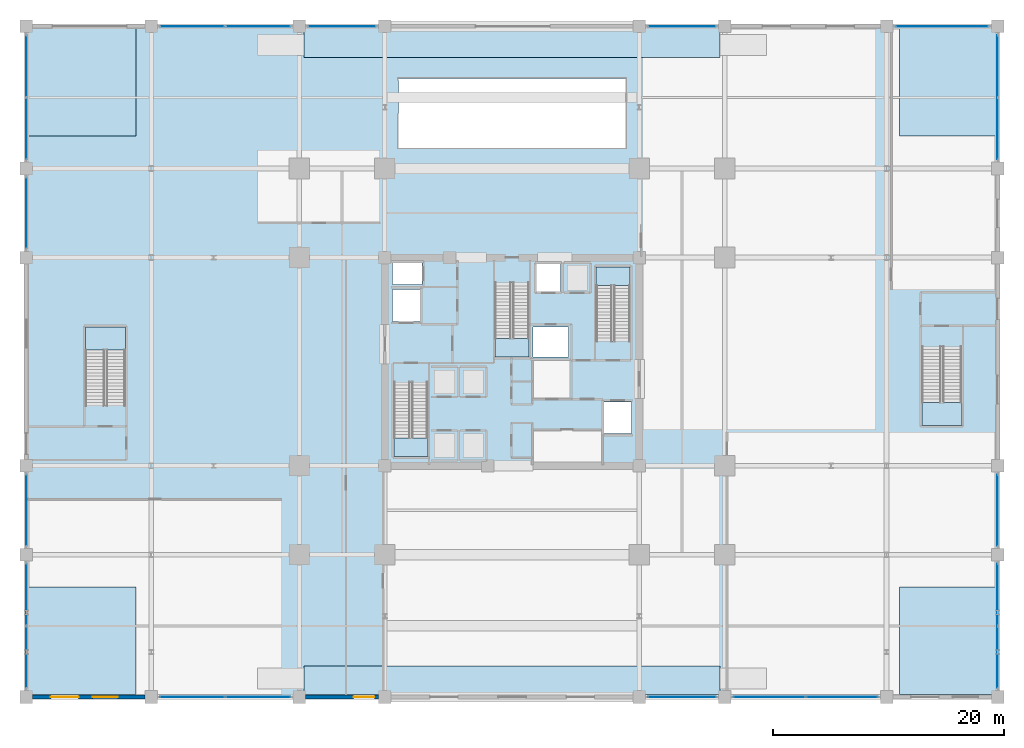
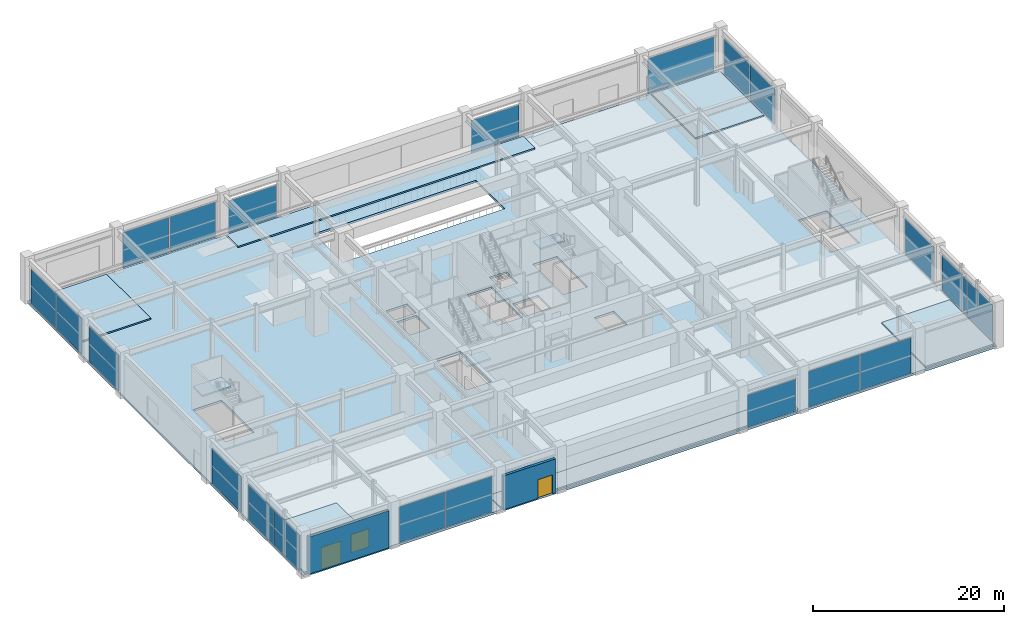
# One storey, part 29 of 41: 21 plates, 12 slabs, 2 doors, 2 walls, 1 window, 3 openings, 19 elements without a shape of their own.
"""IFC4 building model written with IfcOpenShell, lengths in metres."""

from ifc_helpers import new_model, si_unit, direction, frame, frame_2d, origin, origin_2d, place, context, subcontext, project, spatial, polyline, rectangle, outline, extrude, material, layer, layer_set, type_object, element, fill, aggregate, save


model = new_model("IFC4")

# Units and contexts
model_context = context("Model", 3, precision=1e-05, world=origin(), true_north=direction((0.0, 1.0)))
body_context = subcontext(model_context, "Body", "Model", "MODEL_VIEW")
ifc_project = project(units=[si_unit("LENGTHUNIT", "METRE"), si_unit("AREAUNIT", "SQUARE_METRE"), si_unit("VOLUMEUNIT", "CUBIC_METRE"), si_unit("PLANEANGLEUNIT", "RADIAN"), si_unit("MASSUNIT", "GRAM", prefix="KILO")], contexts=[model_context])

# Site, building, storey
site_placement = place(None, origin())
site = spatial("IfcSite", under=ifc_project, at=site_placement, CompositionType="ELEMENT")
building_placement = place(site_placement, origin())
building = spatial("IfcBuilding", under=site, at=building_placement, Name="Kovane Verandah Tower", CompositionType="ELEMENT")
storey_placement = place(building_placement, origin())
storey = spatial("IfcBuildingStorey", under=building, at=storey_placement, Name="L00", CompositionType="ELEMENT", Elevation=0.0)

# Curtain wall, plates
ifc_material_1 = material(Name="Champagne Anodised Aluminium Frame with Low-E Clear Laminated Glass", Category="aluminium")
curtain_wall_type = type_object("IfcCurtainWallType", Name="CW-SYS-01-POD", PredefinedType="NOTDEFINED", material=ifc_material_1)
curtain_wall_1_placement = place(storey_placement, origin())
curtain_wall_1 = element("IfcCurtainWall", 1, at=curtain_wall_1_placement, inside=storey, type_object=curtain_wall_type, Name="Ground South Shopfront Curtain Wall Bay 2", PredefinedType="NOTDEFINED")
ifc_material_2 = material(Name="Clear Low-E Laminated Double Glazing", Category="glass")
ifc_layer_1 = layer(ifc_material_2, 0.031982421875)
ifc_layer_set_1 = layer_set([ifc_layer_1], Name="Clear Low-E Laminated Double Glazing")
plate_type = type_object("IfcPlateType", Name="PL-CW-VIS-32", PredefinedType="CURTAIN_PANEL", material=ifc_layer_set_1)
plate_1_placement = place(storey_placement, frame((12.360107421875, -1.5, 0.099853515625), z_axis=(0.0, 0.0, 1.0), x_axis=(1.0, 0.0, 0.0)))
plate_1 = element("IfcPlate", 2, at=plate_1_placement, type_object=plate_type, Name="Ground South Shopfront Curtain Wall Bay 2 Full-Height Vision Panel 1", PredefinedType="CURTAIN_PANEL", context=body_context, shape_type="SweptSolid", body=[
    extrude(rectangle(XDim=5.5400390625, YDim=0.031982421875, at=origin_2d()), origin(), (0.0, 0.0, 1.0), 4.55908203125),
])
plate_2_placement = place(storey_placement, frame((18.0400390625, -1.5, 0.099853515625), z_axis=(0.0, 0.0, 1.0), x_axis=(1.0, 0.0, 0.0)))
plate_2 = element("IfcPlate", 3, at=plate_2_placement, type_object=plate_type, Name="Ground South Shopfront Curtain Wall Bay 2 Full-Height Vision Panel 2", PredefinedType="CURTAIN_PANEL", context=body_context, shape_type="SweptSolid", body=[
    extrude(rectangle(XDim=5.5400390625, YDim=0.031982421875, at=origin_2d()), origin(), (0.0, 0.0, 1.0), 4.55908203125),
])
aggregate(curtain_wall_1, [plate_1, plate_2])

# Curtain wall, plate
curtain_wall_2_placement = place(storey_placement, origin())
curtain_wall_2 = element("IfcCurtainWall", 4, at=curtain_wall_2_placement, inside=storey, type_object=curtain_wall_type, Name="Ground South Shopfront Curtain Wall Bay 5", PredefinedType="NOTDEFINED")
plate_3_placement = place(storey_placement, frame((54.699951171875, -1.5, 0.10009765625), z_axis=(0.0, 0.0, 1.0), x_axis=(1.0, 0.0, 0.0)))
plate_3 = element("IfcPlate", 5, at=plate_3_placement, type_object=plate_type, Name="Ground South Shopfront Curtain Wall Bay 5 Full-Height Vision Panel 1", PredefinedType="CURTAIN_PANEL", context=body_context, shape_type="SweptSolid", body=[
    extrude(rectangle(XDim=5.820068359375, YDim=0.031982421875, at=origin_2d()), origin(), (0.0, 0.0, 1.0), 4.1298828125),
])
aggregate(curtain_wall_2, [plate_3])

# Curtain wall, plates
curtain_wall_3_placement = place(storey_placement, origin())
curtain_wall_3 = element("IfcCurtainWall", 6, at=curtain_wall_3_placement, inside=storey, type_object=curtain_wall_type, Name="Ground South Shopfront Curtain Wall Bay 6", PredefinedType="NOTDEFINED")
plate_4_placement = place(storey_placement, frame((62.260009765625, -1.5, 0.099853515625), z_axis=(0.0, 0.0, 1.0), x_axis=(1.0, 0.0, 0.0)))
plate_4 = element("IfcPlate", 7, at=plate_4_placement, type_object=plate_type, Name="Ground South Shopfront Curtain Wall Bay 6 Full-Height Vision Panel 1", PredefinedType="CURTAIN_PANEL", context=body_context, shape_type="SweptSolid", body=[
    extrude(rectangle(XDim=6.139892578125, YDim=0.031982421875, at=origin_2d()), origin(), (0.0, 0.0, 1.0), 4.55908203125),
])
plate_5_placement = place(storey_placement, frame((68.5400390625, -1.5, 0.099853515625), z_axis=(0.0, 0.0, 1.0), x_axis=(1.0, 0.0, 0.0)))
plate_5 = element("IfcPlate", 8, at=plate_5_placement, type_object=plate_type, Name="Ground South Shopfront Curtain Wall Bay 6 Full-Height Vision Panel 2", PredefinedType="CURTAIN_PANEL", context=body_context, shape_type="SweptSolid", body=[
    extrude(rectangle(XDim=6.139892578125, YDim=0.031982421875, at=origin_2d()), origin(), (0.0, 0.0, 1.0), 4.55908203125),
])
aggregate(curtain_wall_3, [plate_4, plate_5])

curtain_wall_4_placement = place(storey_placement, origin())
curtain_wall_4 = element("IfcCurtainWall", 9, at=curtain_wall_4_placement, inside=storey, type_object=curtain_wall_type, Name="Ground North Shopfront Curtain Wall Bay 2", PredefinedType="NOTDEFINED")
plate_6_placement = place(storey_placement, frame((18.0400390625, 56.5, 0.099853515625), z_axis=(0.0, 0.0, 1.0), x_axis=(-1.0, 0.0, 0.0)))
plate_6 = element("IfcPlate", 10, at=plate_6_placement, type_object=plate_type, Name="Ground North Shopfront Curtain Wall Bay 2 Full-Height Vision Panel 1", PredefinedType="CURTAIN_PANEL", context=body_context, shape_type="SweptSolid", body=[
    extrude(rectangle(XDim=5.5400390625, YDim=0.031982421875, at=origin_2d()), origin(), (0.0, 0.0, 1.0), 4.55908203125),
])
plate_7_placement = place(storey_placement, frame((12.360107421875, 56.5, 0.099853515625), z_axis=(0.0, 0.0, 1.0), x_axis=(-1.0, 0.0, 0.0)))
plate_7 = element("IfcPlate", 11, at=plate_7_placement, type_object=plate_type, Name="Ground North Shopfront Curtain Wall Bay 2 Full-Height Vision Panel 2", PredefinedType="CURTAIN_PANEL", context=body_context, shape_type="SweptSolid", body=[
    extrude(rectangle(XDim=5.5400390625, YDim=0.031982421875, at=origin_2d()), origin(), (0.0, 0.0, 1.0), 4.55908203125),
])
aggregate(curtain_wall_4, [plate_6, plate_7])

# Curtain wall, plate
curtain_wall_5_placement = place(storey_placement, origin())
curtain_wall_5 = element("IfcCurtainWall", 12, at=curtain_wall_5_placement, inside=storey, type_object=curtain_wall_type, Name="Ground North Shopfront Curtain Wall Bay 3", PredefinedType="NOTDEFINED")
plate_8_placement = place(storey_placement, frame((25.300048828125, 56.5, 0.10009765625), z_axis=(0.0, 0.0, 1.0), x_axis=(-1.0, 0.0, 0.0)))
plate_8 = element("IfcPlate", 13, at=plate_8_placement, type_object=plate_type, Name="Ground North Shopfront Curtain Wall Bay 3 Full-Height Vision Panel 1", PredefinedType="CURTAIN_PANEL", context=body_context, shape_type="SweptSolid", body=[
    extrude(rectangle(XDim=5.820068359375, YDim=0.031982421875, at=origin_2d()), origin(), (0.0, 0.0, 1.0), 4.1298828125),
])
aggregate(curtain_wall_5, [plate_8])

curtain_wall_6_placement = place(storey_placement, origin())
curtain_wall_6 = element("IfcCurtainWall", 14, at=curtain_wall_6_placement, inside=storey, type_object=curtain_wall_type, Name="Ground North Shopfront Curtain Wall Bay 5", PredefinedType="NOTDEFINED")
plate_9_placement = place(storey_placement, frame((54.699951171875, 56.5, 0.10009765625), z_axis=(0.0, 0.0, 1.0), x_axis=(-1.0, 0.0, 0.0)))
plate_9 = element("IfcPlate", 15, at=plate_9_placement, type_object=plate_type, Name="Ground North Shopfront Curtain Wall Bay 5 Full-Height Vision Panel 1", PredefinedType="CURTAIN_PANEL", context=body_context, shape_type="SweptSolid", body=[
    extrude(rectangle(XDim=5.820068359375, YDim=0.031982421875, at=origin_2d()), origin(), (0.0, 0.0, 1.0), 4.1298828125),
])
aggregate(curtain_wall_6, [plate_9])

curtain_wall_7_placement = place(storey_placement, origin())
curtain_wall_7 = element("IfcCurtainWall", 16, at=curtain_wall_7_placement, inside=storey, type_object=curtain_wall_type, Name="Ground North Shopfront Curtain Wall Bay 7", PredefinedType="NOTDEFINED")
plate_10_placement = place(storey_placement, frame((77.199951171875, 56.5, 0.099853515625), z_axis=(0.0, 0.0, 1.0), x_axis=(-1.0, 0.0, 0.0)))
plate_10 = element("IfcPlate", 17, at=plate_10_placement, type_object=plate_type, Name="Ground North Shopfront Curtain Wall Bay 7 Full-Height Vision Panel 1", PredefinedType="CURTAIN_PANEL", context=body_context, shape_type="SweptSolid", body=[
    extrude(rectangle(XDim=8.02001953125, YDim=0.031982421875, at=origin_2d()), origin(), (0.0, 0.0, 1.0), 4.55908203125),
])
aggregate(curtain_wall_7, [plate_10])

# Curtain wall, plates
curtain_wall_8_placement = place(storey_placement, origin())
curtain_wall_8 = element("IfcCurtainWall", 18, at=curtain_wall_8_placement, inside=storey, type_object=curtain_wall_type, Name="Ground West Shopfront Curtain Wall Bay 1", PredefinedType="NOTDEFINED")
plate_11_placement = place(storey_placement, frame((-2.0, 7.364990234375, 0.099853515625), z_axis=(0.0, 0.0, 1.0), x_axis=(0.0, -1.0, 0.0)))
plate_11 = element("IfcPlate", 19, at=plate_11_placement, type_object=plate_type, Name="Ground West Shopfront Curtain Wall Bay 1 Full-Height Vision Panel 1", PredefinedType="CURTAIN_PANEL", context=body_context, shape_type="SweptSolid", body=[
    extrude(rectangle(XDim=5.2900390625, YDim=0.031982421875, at=origin_2d()), origin(), (0.0, 0.0, 1.0), 4.55908203125),
])
plate_12_placement = place(storey_placement, frame((-2.0, 1.93505859375, 0.099853515625), z_axis=(0.0, 0.0, 1.0), x_axis=(0.0, -1.0, 0.0)))
plate_12 = element("IfcPlate", 20, at=plate_12_placement, type_object=plate_type, Name="Ground West Shopfront Curtain Wall Bay 1 Full-Height Vision Panel 2", PredefinedType="CURTAIN_PANEL", context=body_context, shape_type="SweptSolid", body=[
    extrude(rectangle(XDim=5.2900390625, YDim=0.031982421875, at=origin_2d()), origin(), (0.0, 0.0, 1.0), 4.55908203125),
])
aggregate(curtain_wall_8, [plate_11, plate_12])

curtain_wall_9_placement = place(storey_placement, origin())
curtain_wall_9 = element("IfcCurtainWall", 21, at=curtain_wall_9_placement, inside=storey, type_object=curtain_wall_type, Name="Ground East Shopfront Curtain Wall Bay 1", PredefinedType="NOTDEFINED")
plate_13_placement = place(storey_placement, frame((82.0, 1.93505859375, 0.099853515625), z_axis=(0.0, 0.0, 1.0), x_axis=(0.0, 1.0, 0.0)))
plate_13 = element("IfcPlate", 22, at=plate_13_placement, type_object=plate_type, Name="Ground East Shopfront Curtain Wall Bay 1 Full-Height Vision Panel 1", PredefinedType="CURTAIN_PANEL", context=body_context, shape_type="SweptSolid", body=[
    extrude(rectangle(XDim=5.2900390625, YDim=0.031982421875, at=origin_2d()), origin(), (0.0, 0.0, 1.0), 4.55908203125),
])
plate_14_placement = place(storey_placement, frame((82.0, 7.364990234375, 0.099853515625), z_axis=(0.0, 0.0, 1.0), x_axis=(0.0, 1.0, 0.0)))
plate_14 = element("IfcPlate", 23, at=plate_14_placement, type_object=plate_type, Name="Ground East Shopfront Curtain Wall Bay 1 Full-Height Vision Panel 2", PredefinedType="CURTAIN_PANEL", context=body_context, shape_type="SweptSolid", body=[
    extrude(rectangle(XDim=5.2900390625, YDim=0.031982421875, at=origin_2d()), origin(), (0.0, 0.0, 1.0), 4.55908203125),
])
aggregate(curtain_wall_9, [plate_13, plate_14])

# Curtain wall, plate
curtain_wall_10_placement = place(storey_placement, origin())
curtain_wall_10 = element("IfcCurtainWall", 24, at=curtain_wall_10_placement, inside=storey, type_object=curtain_wall_type, Name="Ground West Shopfront Curtain Wall Bay 2", PredefinedType="NOTDEFINED")
plate_15_placement = place(storey_placement, frame((-2.0, 14.64990234375, 0.099853515625), z_axis=(0.0, 0.0, 1.0), x_axis=(0.0, -1.0, 0.0)))
plate_15 = element("IfcPlate", 25, at=plate_15_placement, type_object=plate_type, Name="Ground West Shopfront Curtain Wall Bay 2 Full-Height Vision Panel 1", PredefinedType="CURTAIN_PANEL", context=body_context, shape_type="SweptSolid", body=[
    extrude(rectangle(XDim=6.1201171875, YDim=0.031982421875, at=origin_2d()), origin(), (0.0, 0.0, 1.0), 4.55908203125),
])
aggregate(curtain_wall_10, [plate_15])

curtain_wall_11_placement = place(storey_placement, origin())
curtain_wall_11 = element("IfcCurtainWall", 26, at=curtain_wall_11_placement, inside=storey, type_object=curtain_wall_type, Name="Ground East Shopfront Curtain Wall Bay 2", PredefinedType="NOTDEFINED")
plate_16_placement = place(storey_placement, frame((82.0, 14.64990234375, 0.099853515625), z_axis=(0.0, 0.0, 1.0), x_axis=(0.0, 1.0, 0.0)))
plate_16 = element("IfcPlate", 27, at=plate_16_placement, type_object=plate_type, Name="Ground East Shopfront Curtain Wall Bay 2 Full-Height Vision Panel 1", PredefinedType="CURTAIN_PANEL", context=body_context, shape_type="SweptSolid", body=[
    extrude(rectangle(XDim=6.1201171875, YDim=0.031982421875, at=origin_2d()), origin(), (0.0, 0.0, 1.0), 4.55908203125),
])
aggregate(curtain_wall_11, [plate_16])

curtain_wall_12_placement = place(storey_placement, origin())
curtain_wall_12 = element("IfcCurtainWall", 28, at=curtain_wall_12_placement, inside=storey, type_object=curtain_wall_type, Name="Ground West Shopfront Curtain Wall Bay 4", PredefinedType="NOTDEFINED")
plate_17_placement = place(storey_placement, frame((-2.0, 40.35009765625, 0.099853515625), z_axis=(0.0, 0.0, 1.0), x_axis=(0.0, -1.0, 0.0)))
plate_17 = element("IfcPlate", 29, at=plate_17_placement, type_object=plate_type, Name="Ground West Shopfront Curtain Wall Bay 4 Full-Height Vision Panel 1", PredefinedType="CURTAIN_PANEL", context=body_context, shape_type="SweptSolid", body=[
    extrude(rectangle(XDim=6.1201171875, YDim=0.031982421875, at=origin_2d()), origin(), (0.0, 0.0, 1.0), 4.55908203125),
])
aggregate(curtain_wall_12, [plate_17])

# Curtain wall, plates
curtain_wall_13_placement = place(storey_placement, origin())
curtain_wall_13 = element("IfcCurtainWall", 30, at=curtain_wall_13_placement, inside=storey, type_object=curtain_wall_type, Name="Ground West Shopfront Curtain Wall Bay 5", PredefinedType="NOTDEFINED")
plate_18_placement = place(storey_placement, frame((-2.0, 53.06494140625, 0.099853515625), z_axis=(0.0, 0.0, 1.0), x_axis=(0.0, -1.0, 0.0)))
plate_18 = element("IfcPlate", 31, at=plate_18_placement, type_object=plate_type, Name="Ground West Shopfront Curtain Wall Bay 5 Full-Height Vision Panel 1", PredefinedType="CURTAIN_PANEL", context=body_context, shape_type="SweptSolid", body=[
    extrude(rectangle(XDim=5.2900390625, YDim=0.031982421875, at=origin_2d()), origin(), (0.0, 0.0, 1.0), 4.55908203125),
])
plate_19_placement = place(storey_placement, frame((-2.0, 47.635009765625, 0.099853515625), z_axis=(0.0, 0.0, 1.0), x_axis=(0.0, -1.0, 0.0)))
plate_19 = element("IfcPlate", 32, at=plate_19_placement, type_object=plate_type, Name="Ground West Shopfront Curtain Wall Bay 5 Full-Height Vision Panel 2", PredefinedType="CURTAIN_PANEL", context=body_context, shape_type="SweptSolid", body=[
    extrude(rectangle(XDim=5.2900390625, YDim=0.031982421875, at=origin_2d()), origin(), (0.0, 0.0, 1.0), 4.55908203125),
])
aggregate(curtain_wall_13, [plate_18, plate_19])

curtain_wall_14_placement = place(storey_placement, origin())
curtain_wall_14 = element("IfcCurtainWall", 33, at=curtain_wall_14_placement, inside=storey, type_object=curtain_wall_type, Name="Ground East Shopfront Curtain Wall Bay 5", PredefinedType="NOTDEFINED")
plate_20_placement = place(storey_placement, frame((82.0, 47.635009765625, 0.099853515625), z_axis=(0.0, 0.0, 1.0), x_axis=(0.0, 1.0, 0.0)))
plate_20 = element("IfcPlate", 34, at=plate_20_placement, type_object=plate_type, Name="Ground East Shopfront Curtain Wall Bay 5 Full-Height Vision Panel 1", PredefinedType="CURTAIN_PANEL", context=body_context, shape_type="SweptSolid", body=[
    extrude(rectangle(XDim=5.2900390625, YDim=0.031982421875, at=origin_2d()), origin(), (0.0, 0.0, 1.0), 4.55908203125),
])
plate_21_placement = place(storey_placement, frame((82.0, 53.06494140625, 0.099853515625), z_axis=(0.0, 0.0, 1.0), x_axis=(0.0, 1.0, 0.0)))
plate_21 = element("IfcPlate", 35, at=plate_21_placement, type_object=plate_type, Name="Ground East Shopfront Curtain Wall Bay 5 Full-Height Vision Panel 2", PredefinedType="CURTAIN_PANEL", context=body_context, shape_type="SweptSolid", body=[
    extrude(rectangle(XDim=5.2900390625, YDim=0.031982421875, at=origin_2d()), origin(), (0.0, 0.0, 1.0), 4.55908203125),
])
aggregate(curtain_wall_14, [plate_20, plate_21])

# Stair, slab
ifc_material_3 = material(Name="Concrete C45/55", Category="concrete")
stair_type = type_object("IfcStairType", Name="ST-CORE-1380", PredefinedType="HALF_TURN_STAIR", material=ifc_material_3)
stair_1_placement = place(storey_placement, origin())
stair_1 = element("IfcStair", 36, at=stair_1_placement, inside=storey, type_object=stair_type, Name="L00 Exit Stair ST-01", PredefinedType="HALF_TURN_STAIR")
ifc_layer_2 = layer(ifc_material_3, 0.199951171875)
ifc_layer_set_2 = layer_set([ifc_layer_2], Name="Concrete C45/55")
slab_type_1 = type_object("IfcSlabType", Name="SL-LAND-200", PredefinedType="LANDING", material=ifc_layer_set_2)
slab_1_placement = place(storey_placement, frame((0.0, 0.0, 2.800048828125)))
slab_1 = element("IfcSlab", 37, at=slab_1_placement, type_object=slab_type_1, Name="ST-01 landing 1", PredefinedType="LANDING", context=body_context, shape_type="SweptSolid", body=[
    extrude(outline(polyline([(29.800048828125, 20.905029296875), (29.800048828125, 19.300048828125), (32.719970703125, 19.300048828125), (32.719970703125, 20.905029296875), (29.800048828125, 20.905029296875)])), origin(), (0.0, 0.0, 1.0), 0.199951171875),
])
aggregate(stair_1, [slab_1])

stair_2_placement = place(storey_placement, origin())
stair_2 = element("IfcStair", 38, at=stair_2_placement, inside=storey, type_object=stair_type, Name="L00 Exit Stair ST-02", PredefinedType="HALF_TURN_STAIR")
slab_2_placement = place(storey_placement, frame((0.0, 0.0, 2.800048828125)))
slab_2 = element("IfcSlab", 39, at=slab_2_placement, type_object=slab_type_1, Name="ST-02 landing 1", PredefinedType="LANDING", context=body_context, shape_type="SweptSolid", body=[
    extrude(outline(polyline([(50.199951171875, 34.094970703125), (50.199951171875, 35.699951171875), (47.280029296875, 35.699951171875), (47.280029296875, 34.094970703125), (50.199951171875, 34.094970703125)])), origin(), (0.0, 0.0, 1.0), 0.199951171875),
])
aggregate(stair_2, [slab_2])

stair_3_placement = place(storey_placement, origin())
stair_3 = element("IfcStair", 40, at=stair_3_placement, inside=storey, type_object=stair_type, Name="L00 Exit Stair ST-03", PredefinedType="HALF_TURN_STAIR")
slab_3_placement = place(storey_placement, frame((0.0, 0.0, 2.800048828125)))
slab_3 = element("IfcSlab", 41, at=slab_3_placement, type_object=slab_type_1, Name="ST-03 landing 1", PredefinedType="LANDING", context=body_context, shape_type="SweptSolid", body=[
    extrude(outline(polyline([(38.5400390625, 29.5048828125), (38.5400390625, 27.89990234375), (41.4599609375, 27.89990234375), (41.4599609375, 29.5048828125), (38.5400390625, 29.5048828125)])), origin(), (0.0, 0.0, 1.0), 0.199951171875),
])
aggregate(stair_3, [slab_3])

stair_4_placement = place(storey_placement, origin())
stair_4 = element("IfcStair", 42, at=stair_4_placement, inside=storey, type_object=stair_type, Name="L00 Exit Stair ST-04", PredefinedType="HALF_TURN_STAIR")
slab_4_placement = place(storey_placement, frame((0.0, 0.0, 2.800048828125)))
slab_4 = element("IfcSlab", 43, at=slab_4_placement, type_object=slab_type_1, Name="ST-04 landing 1", PredefinedType="LANDING", context=body_context, shape_type="SweptSolid", body=[
    extrude(outline(polyline([(6.56005859375, 28.52490234375), (6.56005859375, 30.5), (3.10009765625, 30.5), (3.10009765625, 28.52490234375), (6.56005859375, 28.52490234375)])), origin(), (0.0, 0.0, 1.0), 0.199951171875),
])
aggregate(stair_4, [slab_4])

stair_5_placement = place(storey_placement, origin())
stair_5 = element("IfcStair", 44, at=stair_5_placement, inside=storey, type_object=stair_type, Name="L00 Exit Stair ST-05", PredefinedType="HALF_TURN_STAIR")
slab_5_placement = place(storey_placement, frame((0.0, 0.0, 2.800048828125)))
slab_5 = element("IfcSlab", 45, at=slab_5_placement, type_object=slab_type_1, Name="ST-05 landing 1", PredefinedType="LANDING", context=body_context, shape_type="SweptSolid", body=[
    extrude(outline(polyline([(75.43994140625, 23.97509765625), (75.43994140625, 22.0), (78.89990234375, 22.0), (78.89990234375, 23.97509765625), (75.43994140625, 23.97509765625)])), origin(), (0.0, 0.0, 1.0), 0.199951171875),
])
aggregate(stair_5, [slab_5])

# Slabs
ifc_material_4 = material(Name="Granite Stone Paving", Category="masonry")
ifc_layer_3 = layer(ifc_material_4, 0.179931640625)
ifc_layer_set_3 = layer_set([ifc_layer_3], Name="Granite Stone Paving")
slab_type_2 = type_object("IfcSlabType", Name="SL-PAV-180", PredefinedType="USERDEFINED", material=ifc_layer_set_3)
slab_6_placement = place(storey_placement, origin())
element("IfcSlab", 46, at=slab_6_placement, inside=storey, type_object=slab_type_2, Name="Ground Forecourt Granite Paving 1", ObjectType="PAVING", PredefinedType="USERDEFINED", context=body_context, shape_type="SweptSolid", body=[
    extrude(outline(polyline([(-1.800048828125, -1.300048828125), (7.5, -1.300048828125), (7.5, 8.0), (-1.800048828125, 8.0), (-1.800048828125, -1.300048828125)])), origin(), (0.0, 0.0, 1.0), 0.179931640625),
])
slab_7_placement = place(storey_placement, origin())
element("IfcSlab", 47, at=slab_7_placement, inside=storey, type_object=slab_type_2, Name="Ground Forecourt Granite Paving 2", ObjectType="PAVING", PredefinedType="USERDEFINED", context=body_context, shape_type="SweptSolid", body=[
    extrude(outline(polyline([(-1.800048828125, 47.0), (7.5, 47.0), (7.5, 56.300048828125), (-1.800048828125, 56.300048828125), (-1.800048828125, 47.0)])), origin(), (0.0, 0.0, 1.0), 0.179931640625),
])
slab_8_placement = place(storey_placement, origin())
element("IfcSlab", 48, at=slab_8_placement, inside=storey, type_object=slab_type_2, Name="Ground Forecourt Granite Paving 3", ObjectType="PAVING", PredefinedType="USERDEFINED", context=body_context, shape_type="SweptSolid", body=[
    extrude(outline(polyline([(73.5, -1.300048828125), (81.800048828125, -1.300048828125), (81.800048828125, 8.0), (73.5, 8.0), (73.5, -1.300048828125)])), origin(), (0.0, 0.0, 1.0), 0.179931640625),
])
slab_9_placement = place(storey_placement, origin())
element("IfcSlab", 49, at=slab_9_placement, inside=storey, type_object=slab_type_2, Name="Ground Forecourt Granite Paving 4", ObjectType="PAVING", PredefinedType="USERDEFINED", context=body_context, shape_type="SweptSolid", body=[
    extrude(outline(polyline([(73.5, 47.0), (81.800048828125, 47.0), (81.800048828125, 56.300048828125), (73.5, 56.300048828125), (73.5, 47.0)])), origin(), (0.0, 0.0, 1.0), 0.179931640625),
])
slab_10_placement = place(storey_placement, origin())
element("IfcSlab", 50, at=slab_10_placement, inside=storey, type_object=slab_type_2, Name="Ground Forecourt Granite Paving 5", ObjectType="PAVING", PredefinedType="USERDEFINED", context=body_context, shape_type="SweptSolid", body=[
    extrude(outline(polyline([(22.0, -1.300048828125), (58.0, -1.300048828125), (58.0, 1.199951171875), (22.0, 1.199951171875), (22.0, -1.300048828125)])), origin(), (0.0, 0.0, 1.0), 0.179931640625),
])
slab_11_placement = place(storey_placement, origin())
element("IfcSlab", 51, at=slab_11_placement, inside=storey, type_object=slab_type_2, Name="Ground Forecourt Granite Paving 6", ObjectType="PAVING", PredefinedType="USERDEFINED", context=body_context, shape_type="SweptSolid", body=[
    extrude(outline(polyline([(22.0, 53.800048828125), (58.0, 53.800048828125), (58.0, 56.300048828125), (22.0, 56.300048828125), (22.0, 53.800048828125)])), origin(), (0.0, 0.0, 1.0), 0.179931640625),
])
ifc_layer_4 = layer(ifc_material_3, 0.280029296875)
ifc_layer_set_4 = layer_set([ifc_layer_4], Name="Concrete C45/55")
slab_type_3 = type_object("IfcSlabType", Name="SL-POD-280", PredefinedType="FLOOR", material=ifc_layer_set_4)
slab_12_placement = place(storey_placement, frame((0.0, 0.0, -0.280029296875)))
element("IfcSlab", 52, at=slab_12_placement, inside=storey, type_object=slab_type_3, Name="L00 Structural Floor Slab", PredefinedType="FLOOR", context=body_context, shape_type="SweptSolid", body=[
    extrude(outline(polyline([(-2.0, -1.5), (82.0, -1.5), (82.0, 56.5), (-2.0, 56.5), (-2.0, -1.5)]), holes=[polyline([(29.800048828125, 19.300048828125), (32.719970703125, 19.300048828125), (32.719970703125, 25.705078125), (29.800048828125, 25.705078125), (29.800048828125, 19.300048828125)]), polyline([(47.280029296875, 29.294921875), (50.199951171875, 29.294921875), (50.199951171875, 35.699951171875), (47.280029296875, 35.699951171875), (47.280029296875, 29.294921875)]), polyline([(38.5400390625, 27.89990234375), (41.4599609375, 27.89990234375), (41.4599609375, 34.304931640625), (38.5400390625, 34.304931640625), (38.5400390625, 27.89990234375)]), polyline([(3.10009765625, 23.72509765625), (6.56005859375, 23.72509765625), (6.56005859375, 30.5), (3.10009765625, 30.5), (3.10009765625, 23.72509765625)]), polyline([(75.43994140625, 22.0), (78.89990234375, 22.0), (78.89990234375, 28.77490234375), (75.43994140625, 28.77490234375), (75.43994140625, 22.0)]), polyline([(29.669921875, 30.969970703125), (32.030029296875, 30.969970703125), (32.030029296875, 33.72998046875), (29.669921875, 33.72998046875), (29.669921875, 30.969970703125)]), polyline([(47.969970703125, 21.27001953125), (50.330078125, 21.27001953125), (50.330078125, 24.030029296875), (47.969970703125, 24.030029296875), (47.969970703125, 21.27001953125)]), polyline([(29.669921875, 34.169921875), (32.22998046875, 34.169921875), (32.22998046875, 36.030029296875), (29.669921875, 36.030029296875), (29.669921875, 34.169921875)]), polyline([(42.1201171875, 33.570068359375), (44.179931640625, 33.570068359375), (44.179931640625, 35.929931640625), (42.1201171875, 35.929931640625), (42.1201171875, 33.570068359375)]), polyline([(30.199951171875, 46.0), (49.800048828125, 46.0), (49.800048828125, 52.0), (30.199951171875, 52.0), (30.199951171875, 46.0)]), polyline([(41.800048828125, 27.89990234375), (44.89990234375, 27.89990234375), (44.89990234375, 30.5), (41.800048828125, 30.5), (41.800048828125, 27.89990234375)])]), origin(), (0.0, 0.0, 1.0), 0.280029296875),
])

# Wall, openings, door, window
ifc_material_5 = material(Name="Concrete C45/55 Podium Facade Wall", Category="concrete")
ifc_layer_5 = layer(ifc_material_5, 0.320068359375)
ifc_layer_set_5 = layer_set([ifc_layer_5], Name="Concrete C45/55 Podium Facade Wall")
wall_type = type_object("IfcWallType", Name="WL-POD-320", PredefinedType="SOLIDWALL", material=ifc_layer_set_5)
wall_1_placement = place(storey_placement, frame((-1.4599609375, -1.5, 0.0), z_axis=(0.0, 0.0, 1.0), x_axis=(1.0, 0.0, 0.0)))
wall_1 = element("IfcWall", 53, at=wall_1_placement, inside=storey, type_object=wall_type, Name="L00 W Retail Entrance Wall", PredefinedType="SOLIDWALL", context=body_context, shape_type="SweptSolid", body=[
    extrude(rectangle(XDim=9.719970703125, YDim=0.320068359375, at=frame_2d((4.85986328125, 0.0))), origin(), (0.0, 0.0, 1.0), 4.759033203125),
])
opening_1_placement = place(wall_1_placement, frame((1.580078125, 0.0, 0.0)))
opening_1 = element("IfcOpeningElement", 54, at=opening_1_placement, cuts=wall_1, Name="Opening DR-L00-020", PredefinedType="OPENING", context=body_context, shape_type="SweptSolid", body=[
    extrude(rectangle(XDim=2.39990234375, YDim=2.800048828125, at=frame_2d((1.199951171875, 1.39990234375))), frame((0.0, 0.16015625, 0.0), z_axis=(0.0, -1.0, 0.0), x_axis=(1.0, 0.0, 0.0)), (0.0, 0.0, 1.0), 0.320068359375),
])
opening_2_placement = place(wall_1_placement, frame((5.179931640625, 0.0, 0.85009765625)))
opening_2 = element("IfcOpeningElement", 55, at=opening_2_placement, cuts=wall_1, Name="Opening W-05", PredefinedType="OPENING", context=body_context, shape_type="SweptSolid", body=[
    extrude(rectangle(XDim=2.199951171875, YDim=2.35009765625, at=frame_2d((1.10009765625, 1.175048828125))), frame((0.0, 0.16015625, 0.0), z_axis=(0.0, -1.0, 0.0), x_axis=(1.0, 0.0, 0.0)), (0.0, 0.0, 1.0), 0.320068359375),
])
ifc_material_6 = material(Name="Anodised Aluminium Framed Glazed Double Entrance Door", Category="aluminium")
door_type_1 = type_object("IfcDoorType", Name="DR-ENT-2400x2800", OperationType="DOUBLE_DOOR_SINGLE_SWING", PredefinedType="DOOR", material=ifc_material_6)
door_1_placement = place(opening_1_placement, origin())
door_1 = element("IfcDoor", 56, at=door_1_placement, inside=storey, type_object=door_type_1, Name="L00 W Retail Street Entrance", OperationType="DOUBLE_DOOR_SINGLE_SWING", OverallHeight=2.800048828125, OverallWidth=2.39990234375, PredefinedType="DOOR", context=body_context, shape_type="SweptSolid", body=[
    extrude(rectangle(XDim=2.39990234375, YDim=2.800048828125, at=frame_2d((1.199951171875, 1.39990234375))), frame((0.0, 0.02490234375, 0.0), z_axis=(0.0, -1.0, 0.0), x_axis=(1.0, 0.0, 0.0)), (0.0, 0.0, 1.0), 0.050048828125),
])
fill(opening_1, door_1)
ifc_material_7 = material(Name="Clear Low-E Laminated Double Glazing in Anodised Frame", Category="glass")
window_type = type_object("IfcWindowType", Name="WN-FIXED-2200x2350", PartitioningType="SINGLE_PANEL", PredefinedType="WINDOW", material=ifc_material_7)
window_placement = place(opening_2_placement, origin())
window = element("IfcWindow", 57, at=window_placement, inside=storey, type_object=window_type, Name="L00 W Retail Display Window", OverallHeight=2.35009765625, OverallWidth=2.199951171875, PartitioningType="SINGLE_PANEL", PredefinedType="WINDOW", context=body_context, shape_type="SweptSolid", body=[
    extrude(rectangle(XDim=2.199951171875, YDim=2.35009765625, at=frame_2d((1.10009765625, 1.175048828125))), frame((0.0, 0.030029296875, 0.0), z_axis=(0.0, -1.0, 0.0), x_axis=(1.0, 0.0, 0.0)), (0.0, 0.0, 1.0), 0.06005859375),
])
fill(opening_2, window)

# Wall, opening, door
wall_2_placement = place(storey_placement, frame((28.4599609375, -1.5, 0.0), z_axis=(0.0, 0.0, 1.0), x_axis=(-1.0, 0.0, 0.0)))
wall_2 = element("IfcWall", 58, at=wall_2_placement, inside=storey, type_object=wall_type, Name="Ground South-West Protected Stair Exit Wall", PredefinedType="SOLIDWALL", context=body_context, shape_type="SweptSolid", body=[
    extrude(rectangle(XDim=6.320068359375, YDim=0.320068359375, at=frame_2d((3.16015625, 0.0))), origin(), (0.0, 0.0, 1.0), 4.330078125),
])
opening_3_placement = place(wall_2_placement, frame((0.360107421875, 0.0, 0.0)))
opening_3 = element("IfcOpeningElement", 59, at=opening_3_placement, cuts=wall_2, Name="Opening DR-L00-008", PredefinedType="OPENING", context=body_context, shape_type="SweptSolid", body=[
    extrude(rectangle(XDim=1.800048828125, YDim=2.39990234375, at=frame_2d((0.89990234375, 1.199951171875))), frame((0.0, 0.16015625, 0.0), z_axis=(0.0, -1.0, 0.0), x_axis=(1.0, 0.0, 0.0)), (0.0, 0.0, 1.0), 0.320068359375),
])
ifc_material_8 = material(Name="Cyclone-Rated Glazed Verandah Double Door", Category="aluminium")
door_type_2 = type_object("IfcDoorType", Name="DR-TERR-1800x2400", OperationType="DOUBLE_DOOR_SINGLE_SWING", PredefinedType="DOOR", material=ifc_material_8)
door_2_placement = place(opening_3_placement, origin())
door_2 = element("IfcDoor", 60, at=door_2_placement, inside=storey, type_object=door_type_2, Name="L00 ST-01 Protected South-West Final Exit Door", OperationType="DOUBLE_DOOR_SINGLE_SWING", OverallHeight=2.39990234375, OverallWidth=1.800048828125, PredefinedType="DOOR", context=body_context, shape_type="SweptSolid", body=[
    extrude(rectangle(XDim=1.800048828125, YDim=2.39990234375, at=frame_2d((0.89990234375, 1.199951171875))), frame((0.0, 0.02490234375, 0.0), z_axis=(0.0, -1.0, 0.0), x_axis=(1.0, 0.0, 0.0)), (0.0, 0.0, 1.0), 0.050048828125),
])
fill(opening_3, door_2)

save(model, "model.ifc")
